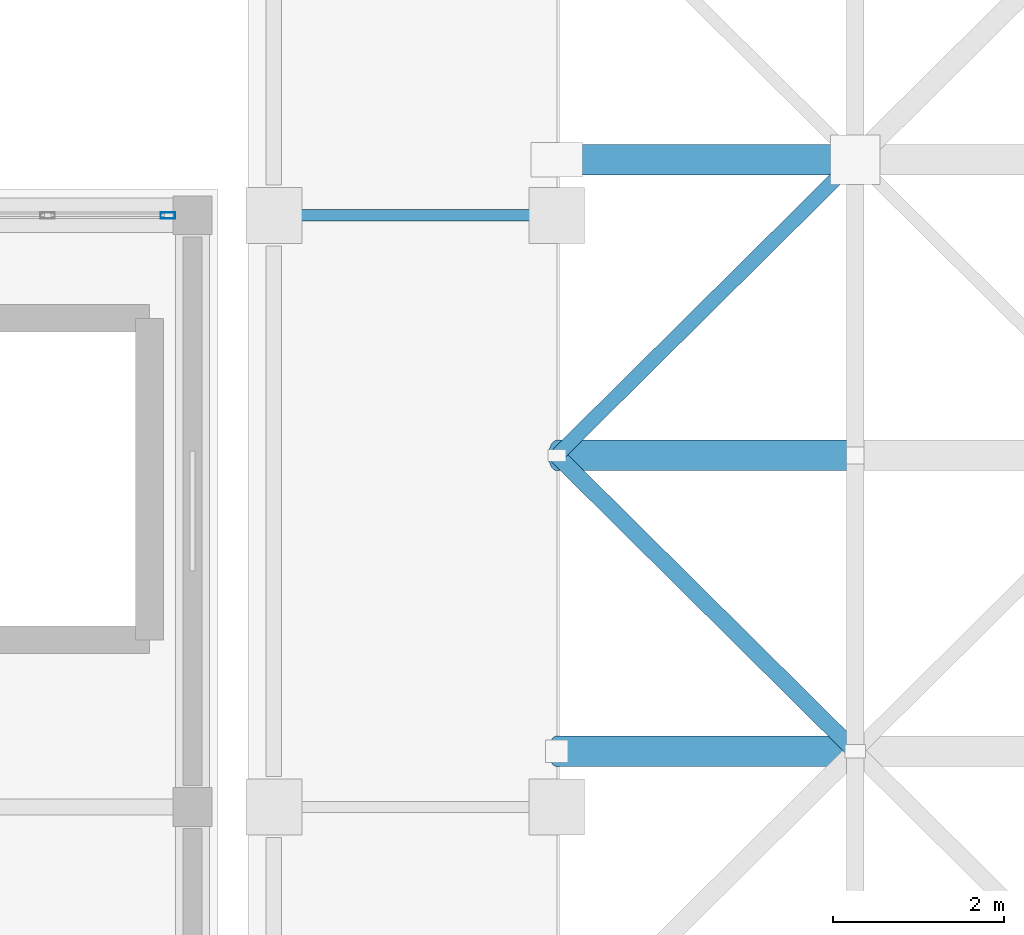
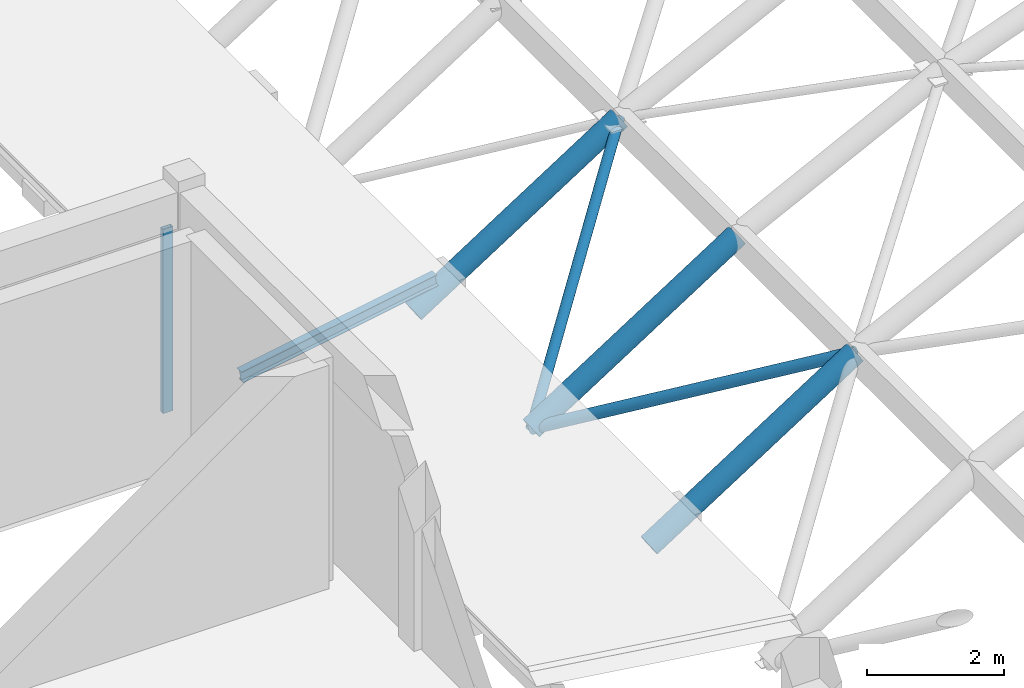
# One storey, part 19 of 52: 7 members, 1 element without a shape of its own.
"""IFC4 building model written with IfcOpenShell, lengths in metres."""

from ifc_helpers import new_model, si_unit, direction, frame, origin, origin_2d, place, context, subcontext, project, spatial, hollow_rectangle, hollow_circle, i_section, extrude, material, layer, layer_set, material_profile, profile_set, type_object, element, aggregate, save


model = new_model("IFC4")

# Units and contexts
model_context = context("Model", 3, precision=1e-05, world=origin(), true_north=direction((0.0, 1.0)))
body_context = subcontext(model_context, "Body", "Model", "MODEL_VIEW")
ifc_project = project(units=[si_unit("LENGTHUNIT", "METRE"), si_unit("AREAUNIT", "SQUARE_METRE"), si_unit("VOLUMEUNIT", "CUBIC_METRE"), si_unit("PLANEANGLEUNIT", "RADIAN"), si_unit("MASSUNIT", "GRAM", prefix="KILO")], contexts=[model_context])

# Site, building, storey
site_placement = place(None, origin())
site = spatial("IfcSite", under=ifc_project, at=site_placement, CompositionType="ELEMENT")
building_placement = place(site_placement, origin())
building = spatial("IfcBuilding", under=site, at=building_placement, Name="Candilejo Ridge Gondola Terminal", CompositionType="ELEMENT")
storey_placement = place(building_placement, frame((0.0, 0.0, 18.60009765625)))
storey = spatial("IfcBuildingStorey", under=building, at=storey_placement, Name="L04", CompositionType="ELEMENT", Elevation=18.60009765625)

# Curtain wall, member
ifc_material_1 = material(Name="Anodised aluminium AA 6063-T6", Category="aluminium")
ifc_layer = layer(ifc_material_1, 0.169921875)
ifc_layer_set = layer_set([ifc_layer], Name="ARC-CW-GALLERY-3200-720X329")
curtain_wall_type = type_object("IfcCurtainWallType", Name="ARC-CW-GALLERY-3200-720X329", PredefinedType="NOTDEFINED", material=ifc_layer_set)
curtain_wall_placement = place(storey_placement, origin())
curtain_wall = element("IfcCurtainWall", 1, at=curtain_wall_placement, inside=storey, type_object=curtain_wall_type, Name="Curtain wall V3 L04-108", PredefinedType="NOTDEFINED")
ifc_material_2 = material(Name="Anodised aluminium AA 6063-T6", Category="aluminium")
ifc_material_profile_1 = material_profile(ifc_material_2, hollow_rectangle(XDim=0.074951171875, YDim=0.169921875, WallThickness=0.00390625, at=origin_2d()))
ifc_profile_set_1 = profile_set([ifc_material_profile_1], Name="Anodised aluminium AA 6063-T6")
member_type_1 = type_object("IfcMemberType", Name="ARC-CW-MULLION", PredefinedType="MULLION", material=ifc_profile_set_1)
member_1_placement = place(storey_placement, frame((132.66259765625, 36.699951171875, 0.0), z_axis=(0.0, 0.0, 1.0), x_axis=(0.0, 1.0, 0.0)))
member_1 = element("IfcMember", 2, at=member_1_placement, type_object=member_type_1, Name="CW-72X32 mullion 6", PredefinedType="MULLION", context=body_context, shape_type="SweptSolid", body=[
    extrude(hollow_rectangle(XDim=0.074951171875, YDim=0.169921875, WallThickness=0.00390625, at=origin_2d()), origin(), (0.0, 0.0, 1.0), 3.289794921875),
])
aggregate(curtain_wall, [member_1])

# Members
ifc_material_3 = material(Name="Steel ASTM A500 Grade C", Category="steel")
ifc_material_profile_2 = material_profile(ifc_material_3, hollow_circle(Radius=0.084228515625, WallThickness=0.007080078125, at=origin_2d()))
ifc_profile_set_2 = profile_set([ifc_material_profile_2], Name="Steel ASTM A500 Grade C")
member_type_2 = type_object("IfcMemberType", Name="STR-BRC-CHS168", PredefinedType="BRACE", material=ifc_profile_set_2)
member_2_placement = place(storey_placement, frame((137.199951171875, 33.89990234375, -0.2001953125), z_axis=(0.646252595266, 0.640721318668, 0.414528376492), x_axis=(-0.70406120903, 0.710139291927, 0.0)))
element("IfcMember", 3, at=member_2_placement, inside=storey, type_object=member_type_2, Name="Barrel diagrid diagonal 09-01", PredefinedType="BRACE", context=body_context, shape_type="SweptSolid", body=[
    extrude(hollow_circle(Radius=0.084228515625, WallThickness=0.007080078125, at=origin_2d()), origin(), (0.0, 0.0, 1.0), 5.384765625),
])
ifc_material_4 = material(Name="Steel ASTM A500 Grade C", Category="steel")
ifc_material_profile_3 = material_profile(ifc_material_4, hollow_circle(Radius=0.096923828125, WallThickness=0.0078125, at=origin_2d()))
ifc_profile_set_3 = profile_set([ifc_material_profile_3], Name="Steel ASTM A500 Grade C")
member_type_3 = type_object("IfcMemberType", Name="STR-BRC-CHS193", PredefinedType="BRACE", material=ifc_profile_set_3)
member_3_placement = place(storey_placement, frame((140.679931640625, 30.449951171875, 2.031982421875), z_axis=(-0.646271368564, 0.640694591636, -0.414540418323), x_axis=(-0.704036083414, -0.710164201612, 0.0)))
element("IfcMember", 4, at=member_3_placement, inside=storey, type_object=member_type_3, Name="Barrel diagrid diagonal 08-01", PredefinedType="BRACE", context=body_context, shape_type="SweptSolid", body=[
    extrude(hollow_circle(Radius=0.096923828125, WallThickness=0.0078125, at=origin_2d()), origin(), (0.0, 0.0, 1.0), 5.384765625),
])
ifc_material_5 = material(Name="Steel ASTM A500 Grade C", Category="steel")
ifc_material_profile_4 = material_profile(ifc_material_5, hollow_circle(Radius=0.177734375, WallThickness=0.0126953125, at=origin_2d()))
ifc_profile_set_4 = profile_set([ifc_material_profile_4], Name="Steel ASTM A500 Grade C")
member_type_4 = type_object("IfcMemberType", Name="STR-RAF-CHS356", PredefinedType="RAFTER", material=ifc_profile_set_4)
for number, where, z_axis, x_axis, name in (
    (5, (137.199951171875, 30.449951171875, -0.2001953125), (0.841722944164, 0.0, 0.539909701031), (0.0, 1.0, 0.0), "Barrel diagrid arch rafter F08-01"),
    (6, (137.199951171875, 33.89990234375, -0.2001953125), (0.841722944164, 0.0, 0.539909701031), (0.0, 1.0, 0.0), "Barrel diagrid arch rafter F09-01"),
    (7, (137.199951171875, 37.35009765625, -0.2001953125), (0.841722944164, 0.0, 0.539909701031), (0.0, 1.0, 0.0), "Barrel diagrid arch rafter F10-01"),
):
    element("IfcMember", number, at=place(storey_placement, frame(where, z_axis=z_axis, x_axis=x_axis)), inside=storey, type_object=member_type_4, Name=name, PredefinedType="RAFTER", context=body_context, shape_type="SweptSolid", body=[
        extrude(hollow_circle(Radius=0.177734375, WallThickness=0.0126953125, at=origin_2d()), origin(), (0.0, 0.0, 1.0), 4.13427734375),
    ])
ifc_material_6 = material(Name="Steel ASTM A992 Grade 50", Category="steel")
ifc_material_profile_5 = material_profile(ifc_material_6, i_section(OverallWidth=0.133056640625, OverallDepth=0.20703125, WebThickness=0.005859375, FlangeThickness=0.00830078125, at=origin_2d()))
ifc_profile_set_5 = profile_set([ifc_material_profile_5], Name="Steel ASTM A992 Grade 50")
member_type_5 = type_object("IfcMemberType", Name="STR-RAF-W200", PredefinedType="RAFTER", material=ifc_profile_set_5)
member_4_placement = place(storey_placement, frame((133.89990234375, 36.699951171875, 0.201416015625), z_axis=(0.984800423621, 0.0, 0.173689739581), x_axis=(0.0, 1.0, 0.0)))
element("IfcMember", 8, at=member_4_placement, inside=storey, type_object=member_type_5, Name="Shed roof rafter RF-V4-WEST-06", PredefinedType="RAFTER", context=body_context, shape_type="SweptSolid", body=[
    extrude(i_section(OverallWidth=0.133056640625, OverallDepth=0.20703125, WebThickness=0.005859375, FlangeThickness=0.00830078125, at=origin_2d()), origin(), (0.0, 0.0, 1.0), 3.35107421875),
])

save(model, "model.ifc")
